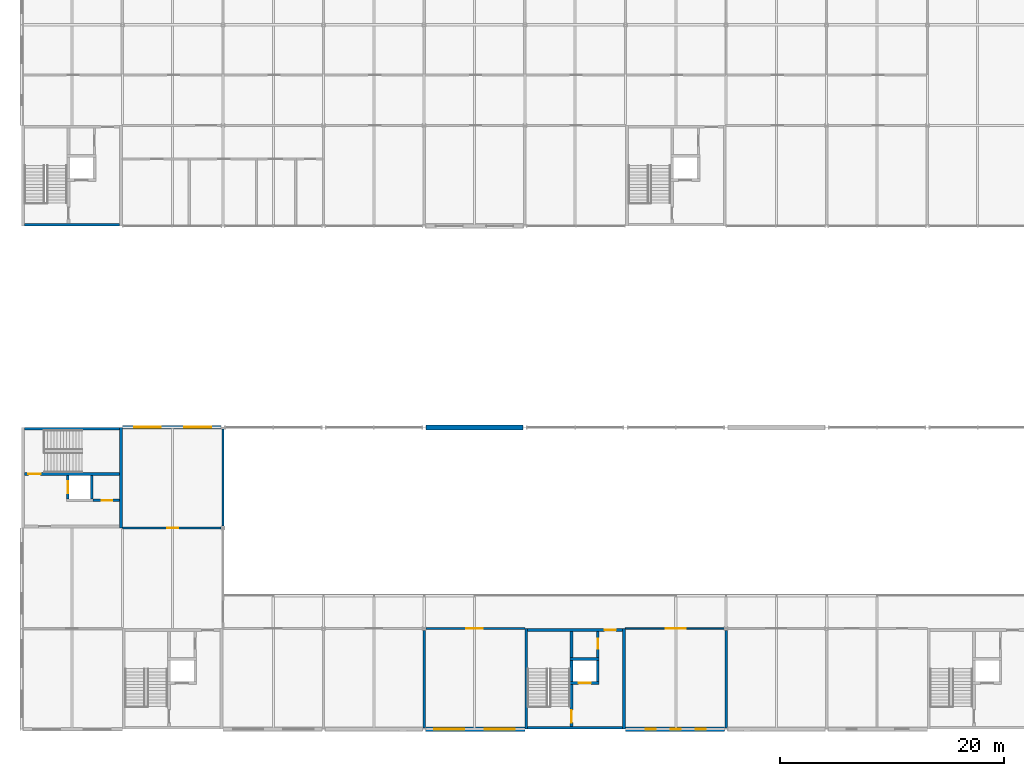
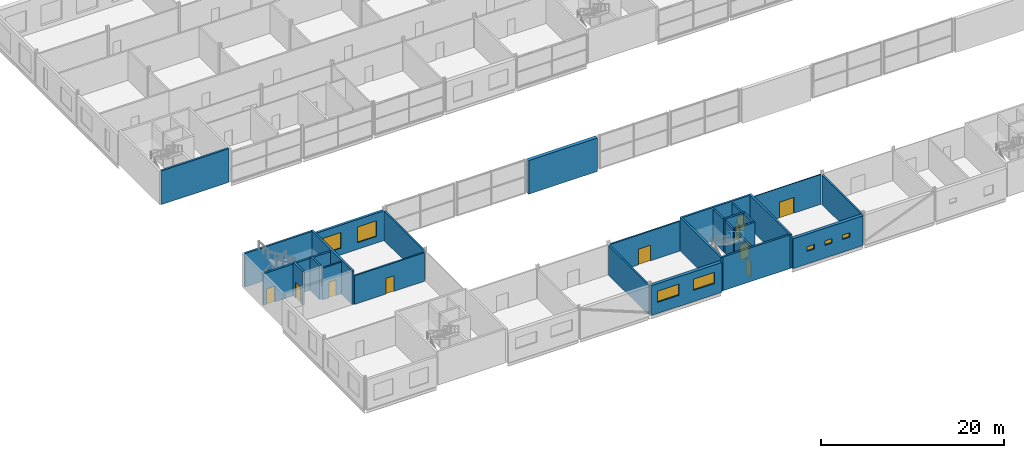
# One storey, part 66 of 97: 26 walls, 10 doors, 7 windows, 17 openings.
"""IFC4 building model written with IfcOpenShell, lengths in metres."""

from ifc_helpers import new_model, si_unit, direction, frame, frame_2d, origin, place, context, subcontext, project, spatial, rectangle, extrude, material, layer, layer_set, type_object, element, fill, save


model = new_model("IFC4")

# Units and contexts
model_context = context("Model", 3, precision=1e-05, world=origin(), true_north=direction((0.0, 1.0)))
body_context = subcontext(model_context, "Body", "Model", "MODEL_VIEW")
ifc_project = project(units=[si_unit("LENGTHUNIT", "METRE"), si_unit("AREAUNIT", "SQUARE_METRE"), si_unit("VOLUMEUNIT", "CUBIC_METRE"), si_unit("PLANEANGLEUNIT", "RADIAN"), si_unit("MASSUNIT", "GRAM", prefix="KILO")], contexts=[model_context])

# Site, building, storey
site_placement = place(None, origin())
site = spatial("IfcSite", under=ifc_project, at=site_placement, CompositionType="ELEMENT")
building_placement = place(site_placement, origin())
building = spatial("IfcBuilding", under=site, at=building_placement, Name="Corbel Yard City Hall", CompositionType="ELEMENT")
storey_placement = place(building_placement, frame((0.0, 0.0, 6.0)))
storey = spatial("IfcBuildingStorey", under=building, at=storey_placement, Name="L01", CompositionType="ELEMENT", Elevation=6.0)

# Walls
ifc_material_1 = material(Name="Concrete N50 (50 MPa)", Category="concrete")
ifc_layer_1 = layer(ifc_material_1, 0.25)
ifc_layer_set_1 = layer_set([ifc_layer_1], Name="Concrete N50 (50 MPa)")
wall_type_1 = type_object("IfcWallType", Name="Core cell wall 250", PredefinedType="SHEAR", material=ifc_layer_set_1)
for number, where, z_axis, x_axis, name in (
    (1, (45.125, 0.0, 0.0), (0.0, 0.0, 1.0), (0.0, 1.0, 0.0), "Core PC-S1 west wall"),
    (2, (53.875, 0.0, 0.0), (0.0, 0.0, 1.0), (0.0, 1.0, 0.0), "Core PC-S1 east wall"),
):
    element("IfcWall", number, at=place(storey_placement, frame(where, z_axis=z_axis, x_axis=x_axis)), inside=storey, type_object=wall_type_1, Name=name, PredefinedType="SHEAR", context=body_context, shape_type="SweptSolid", body=[
        extrude(rectangle(XDim=9.0, YDim=0.25, at=frame_2d((4.5, 0.0))), origin(), (0.0, 0.0, 1.0), 4.5),
    ])
wall_1_placement = place(storey_placement, frame((45.25, 0.125, 0.0), z_axis=(0.0, 0.0, 1.0), x_axis=(1.0, 0.0, 0.0)))
element("IfcWall", 3, at=wall_1_placement, inside=storey, type_object=wall_type_1, Name="Core PC-S1 south wall", PredefinedType="SHEAR", context=body_context, shape_type="SweptSolid", body=[
    extrude(rectangle(XDim=8.5, YDim=0.25, at=frame_2d((4.25, 0.0))), origin(), (0.0, 0.0, 1.0), 4.5),
])

# Wall, opening, door
wall_2_placement = place(storey_placement, frame((45.25, 8.875, 0.0), z_axis=(0.0, 0.0, 1.0), x_axis=(1.0, 0.0, 0.0)))
wall_2 = element("IfcWall", 4, at=wall_2_placement, inside=storey, type_object=wall_type_1, Name="Core PC-S1 north wall", PredefinedType="SHEAR", context=body_context, shape_type="SweptSolid", body=[
    extrude(rectangle(XDim=8.5, YDim=0.25, at=frame_2d((4.25, 0.0))), origin(), (0.0, 0.0, 1.0), 4.5),
])
opening_1_placement = place(wall_2_placement, frame((6.887451171875, 0.0, 0.0)))
opening_1 = element("IfcOpeningElement", 5, at=opening_1_placement, cuts=wall_2, Name="Opening L01-018", PredefinedType="OPENING", context=body_context, shape_type="SweptSolid", body=[
    extrude(rectangle(XDim=1.0, YDim=2.10009765625, at=frame_2d((0.5, 1.050048828125))), frame((0.0, 0.135009765625, 0.0), z_axis=(0.0, -1.0, 0.0), x_axis=(1.0, 0.0, 0.0)), (0.0, 0.0, 1.0), 0.27001953125),
])
ifc_material_2 = material(Name="Steel Grade G250", Category="steel")
door_type_1 = type_object("IfcDoorType", Name="FS1", OperationType="SINGLE_SWING_LEFT", PredefinedType="DOOR", material=ifc_material_2)
door_1_placement = place(opening_1_placement, frame((1.0, 0.0, 0.0), z_axis=(0.0, 0.0, 1.0), x_axis=(-1.0, 0.0, 0.0)))
door_1 = element("IfcDoor", 6, at=door_1_placement, inside=storey, type_object=door_type_1, Name="Door Lift Lobby", OperationType="SINGLE_SWING_RIGHT", OverallHeight=2.10009765625, OverallWidth=1.0, PredefinedType="DOOR", context=body_context, shape_type="SweptSolid", body=[
    extrude(rectangle(XDim=1.0, YDim=2.10009765625, at=frame_2d((0.5, 1.050048828125))), frame((0.0, 0.02490234375, 0.0), z_axis=(0.0, -1.0, 0.0), x_axis=(1.0, 0.0, 0.0)), (0.0, 0.0, 1.0), 0.050048828125),
])
fill(opening_1, door_1)

# Walls
wall_3_placement = place(storey_placement, frame((8.875, 18.0, 0.0), z_axis=(0.0, 0.0, 1.0), x_axis=(0.0, 1.0, 0.0)))
element("IfcWall", 7, at=wall_3_placement, inside=storey, type_object=wall_type_1, Name="Core PC-S5 east wall", PredefinedType="SHEAR", context=body_context, shape_type="SweptSolid", body=[
    extrude(rectangle(XDim=9.0, YDim=0.25, at=frame_2d((4.5, 0.0))), origin(), (0.0, 0.0, 1.0), 4.5),
])
for number, where, z_axis, x_axis, name in (
    (8, (0.25, 26.875, 0.0), (0.0, 0.0, 1.0), (1.0, 0.0, 0.0), "Core PC-S5 north wall"),
    (9, (0.25, 45.125, 0.0), (0.0, 0.0, 1.0), (1.0, 0.0, 0.0), "Core PC-M1 south wall"),
):
    element("IfcWall", number, at=place(storey_placement, frame(where, z_axis=z_axis, x_axis=x_axis)), inside=storey, type_object=wall_type_1, Name=name, PredefinedType="SHEAR", context=body_context, shape_type="SweptSolid", body=[
        extrude(rectangle(XDim=8.5, YDim=0.25, at=frame_2d((4.25, 0.0))), origin(), (0.0, 0.0, 1.0), 4.5),
    ])

# Wall, openings, windows
ifc_material_3 = material(Name="Sandstone cladding", Category="masonry")
ifc_layer_2 = layer(ifc_material_3, 0.0400390625)
ifc_material_4 = material(Name="Air cavity", Category="air")
ifc_layer_3 = layer(ifc_material_4, 0.0400390625)
ifc_material_5 = material(Name="Concrete block", Category="concrete")
ifc_layer_4 = layer(ifc_material_5, 0.18994140625)
ifc_material_6 = material(Name="Gypsum plasterboard", Category="gypsum")
ifc_layer_5 = layer(ifc_material_6, 0.030029296875)
ifc_layer_set_2 = layer_set([ifc_layer_2, ifc_layer_3, ifc_layer_4, ifc_layer_5], Name="Concrete block")
wall_type_2 = type_object("IfcWallType", Name="EW1", PredefinedType="SOLIDWALL", material=ifc_layer_set_2)
wall_4_placement = place(storey_placement, frame((9.0, 27.0, 0.0), z_axis=(0.0, 0.0, 1.0), x_axis=(1.0, 0.0, 0.0)))
wall_4 = element("IfcWall", 10, at=wall_4_placement, inside=storey, type_object=wall_type_2, Name="External wall", PredefinedType="SOLIDWALL", context=body_context, shape_type="SweptSolid", body=[
    extrude(rectangle(XDim=8.842529296875, YDim=0.300048828125, at=frame_2d((4.42138671875, 0.0))), origin(), (0.0, 0.0, 1.0), 3.990966796875),
])
opening_2_placement = place(wall_4_placement, frame((1.050048828125, 0.0, 0.89990234375)))
opening_2 = element("IfcOpeningElement", 11, at=opening_2_placement, cuts=wall_4, Name="Opening WN8", PredefinedType="OPENING", context=body_context, shape_type="SweptSolid", body=[
    extrude(rectangle(XDim=2.39990234375, YDim=2.10009765625, at=frame_2d((1.199951171875, 1.050048828125))), frame((0.0, 0.159912109375, 0.0), z_axis=(0.0, -1.0, 0.0), x_axis=(1.0, 0.0, 0.0)), (0.0, 0.0, 1.0), 0.320068359375),
])
opening_3_placement = place(wall_4_placement, frame((5.550048828125, 0.0, 0.89990234375)))
opening_3 = element("IfcOpeningElement", 12, at=opening_3_placement, cuts=wall_4, Name="Opening WN8", PredefinedType="OPENING", context=body_context, shape_type="SweptSolid", body=[
    extrude(rectangle(XDim=2.39990234375, YDim=2.10009765625, at=frame_2d((1.199951171875, 1.050048828125))), frame((0.0, 0.159912109375, 0.0), z_axis=(0.0, -1.0, 0.0), x_axis=(1.0, 0.0, 0.0)), (0.0, 0.0, 1.0), 0.320068359375),
])
ifc_material_7 = material(Name="Aluminium frame, double glazed low-e glass", Category="aluminium")
window_type_1 = type_object("IfcWindowType", Name="WN8", PartitioningType="SINGLE_PANEL", PredefinedType="WINDOW", material=ifc_material_7)
window_1_placement = place(opening_2_placement, origin())
window_1 = element("IfcWindow", 13, at=window_1_placement, inside=storey, type_object=window_type_1, Name="Window WN8 L01", OverallHeight=2.10009765625, OverallWidth=2.39990234375, PartitioningType="SINGLE_PANEL", PredefinedType="WINDOW", context=body_context, shape_type="SweptSolid", body=[
    extrude(rectangle(XDim=2.39990234375, YDim=2.10009765625, at=frame_2d((1.199951171875, 1.050048828125))), frame((0.0, 0.030029296875, 0.0), z_axis=(0.0, -1.0, 0.0), x_axis=(1.0, 0.0, 0.0)), (0.0, 0.0, 1.0), 0.06005859375),
])
fill(opening_2, window_1)
window_2_placement = place(opening_3_placement, origin())
window_2 = element("IfcWindow", 14, at=window_2_placement, inside=storey, type_object=window_type_1, Name="Window WN8 L01", OverallHeight=2.10009765625, OverallWidth=2.39990234375, PartitioningType="SINGLE_PANEL", PredefinedType="WINDOW", context=body_context, shape_type="SweptSolid", body=[
    extrude(rectangle(XDim=2.39990234375, YDim=2.10009765625, at=frame_2d((1.199951171875, 1.050048828125))), frame((0.0, 0.030029296875, 0.0), z_axis=(0.0, -1.0, 0.0), x_axis=(1.0, 0.0, 0.0)), (0.0, 0.0, 1.0), 0.06005859375),
])
fill(opening_3, window_2)

# Wall
ifc_layer_6 = layer(ifc_material_3, 0.06005859375)
ifc_layer_7 = layer(ifc_material_4, 0.0400390625)
ifc_material_8 = material(Name="Concrete N40 (40 MPa)", Category="concrete")
ifc_layer_8 = layer(ifc_material_8, 0.25)
ifc_material_9 = material(Name="Mineral wool", Category="insulation")
ifc_layer_9 = layer(ifc_material_9, 0.10009765625)
ifc_layer_set_3 = layer_set([ifc_layer_6, ifc_layer_7, ifc_layer_8, ifc_layer_9], Name="Concrete N40 (40 MPa)")
wall_type_3 = type_object("IfcWallType", Name="EW2", PredefinedType="SOLIDWALL", material=ifc_layer_set_3)
wall_5_placement = place(storey_placement, frame((36.157470703125, 27.0, -0.14990234375), z_axis=(0.0, 0.0, 1.0), x_axis=(1.0, 0.0, 0.0)))
element("IfcWall", 15, at=wall_5_placement, inside=storey, type_object=wall_type_3, Name="Entrance pier wall", PredefinedType="SOLIDWALL", context=body_context, shape_type="SweptSolid", body=[
    extrude(rectangle(XDim=8.68505859375, YDim=0.449951171875, at=frame_2d((4.342529296875, 0.0))), origin(), (0.0, 0.0, 1.0), 4.5),
])

# Wall, openings, windows
ifc_layer_10 = layer(ifc_material_6, 0.031982421875)
ifc_layer_11 = layer(ifc_material_4, 0.133056640625)
ifc_layer_12 = layer(ifc_material_5, 0.18994140625)
ifc_material_10 = material(Name="Cement render", Category="render")
ifc_layer_13 = layer(ifc_material_10, 0.0400390625)
ifc_material_11 = material(Name="Acoustic sealant", Category="sealant")
ifc_layer_14 = layer(ifc_material_11, 0.0048828125)
ifc_layer_set_4 = layer_set([ifc_layer_10, ifc_layer_11, ifc_layer_12, ifc_layer_13, ifc_layer_14], Name="Concrete block")
wall_type_4 = type_object("IfcWallType", Name="EW3", PredefinedType="SOLIDWALL", material=ifc_layer_set_4)
wall_6_placement = place(storey_placement, frame((36.1298828125, 0.0, 0.0), z_axis=(0.0, 0.0, 1.0), x_axis=(1.0, 0.0, 0.0)))
wall_6 = element("IfcWall", 16, at=wall_6_placement, inside=storey, type_object=wall_type_4, Name="Acoustic wall", PredefinedType="SOLIDWALL", context=body_context, shape_type="SweptSolid", body=[
    extrude(rectangle(XDim=8.8701171875, YDim=0.39990234375, at=frame_2d((4.43505859375, 0.0))), origin(), (0.0, 0.0, 1.0), 3.990966796875),
])
opening_4_placement = place(wall_6_placement, frame((0.77001953125, 0.0, 1.5)))
opening_4 = element("IfcOpeningElement", 17, at=opening_4_placement, cuts=wall_6, Name="Opening WN3", PredefinedType="OPENING", context=body_context, shape_type="SweptSolid", body=[
    extrude(rectangle(XDim=2.699951171875, YDim=1.5, at=frame_2d((1.35009765625, 0.75))), frame((0.0, 0.2099609375, 0.0), z_axis=(0.0, -1.0, 0.0), x_axis=(1.0, 0.0, 0.0)), (0.0, 0.0, 1.0), 0.419921875),
])
opening_5_placement = place(wall_6_placement, frame((5.27001953125, 0.0, 1.5)))
opening_5 = element("IfcOpeningElement", 18, at=opening_5_placement, cuts=wall_6, Name="Opening WN3", PredefinedType="OPENING", context=body_context, shape_type="SweptSolid", body=[
    extrude(rectangle(XDim=2.699951171875, YDim=1.5, at=frame_2d((1.35009765625, 0.75))), frame((0.0, 0.2099609375, 0.0), z_axis=(0.0, -1.0, 0.0), x_axis=(1.0, 0.0, 0.0)), (0.0, 0.0, 1.0), 0.419921875),
])
ifc_material_12 = material(Name="Aluminium frame, laminated acoustic glass", Category="aluminium")
window_type_2 = type_object("IfcWindowType", Name="WN3", PartitioningType="SINGLE_PANEL", PredefinedType="WINDOW", material=ifc_material_12)
window_3_placement = place(opening_4_placement, origin())
window_3 = element("IfcWindow", 19, at=window_3_placement, inside=storey, type_object=window_type_2, Name="Window WN3 L01", OverallHeight=1.5, OverallWidth=2.699951171875, PartitioningType="SINGLE_PANEL", PredefinedType="WINDOW", context=body_context, shape_type="SweptSolid", body=[
    extrude(rectangle(XDim=2.699951171875, YDim=1.5, at=frame_2d((1.35009765625, 0.75))), frame((0.0, 0.030029296875, 0.0), z_axis=(0.0, -1.0, 0.0), x_axis=(1.0, 0.0, 0.0)), (0.0, 0.0, 1.0), 0.06005859375),
])
fill(opening_4, window_3)
window_4_placement = place(opening_5_placement, origin())
window_4 = element("IfcWindow", 20, at=window_4_placement, inside=storey, type_object=window_type_2, Name="Window WN3 L01", OverallHeight=1.5, OverallWidth=2.699951171875, PartitioningType="SINGLE_PANEL", PredefinedType="WINDOW", context=body_context, shape_type="SweptSolid", body=[
    extrude(rectangle(XDim=2.699951171875, YDim=1.5, at=frame_2d((1.35009765625, 0.75))), frame((0.0, 0.030029296875, 0.0), z_axis=(0.0, -1.0, 0.0), x_axis=(1.0, 0.0, 0.0)), (0.0, 0.0, 1.0), 0.06005859375),
])
fill(opening_5, window_4)

wall_7_placement = place(storey_placement, frame((54.0, 0.0, 0.0), z_axis=(0.0, 0.0, 1.0), x_axis=(1.0, 0.0, 0.0)))
wall_7 = element("IfcWall", 21, at=wall_7_placement, inside=storey, type_object=wall_type_4, Name="Acoustic wall", PredefinedType="SOLIDWALL", context=body_context, shape_type="SweptSolid", body=[
    extrude(rectangle(XDim=8.8701171875, YDim=0.39990234375, at=frame_2d((4.43505859375, 0.0))), origin(), (0.0, 0.0, 1.0), 3.990966796875),
])
opening_6_placement = place(wall_7_placement, frame((1.800048828125, 0.0, 1.699951171875)))
opening_6 = element("IfcOpeningElement", 22, at=opening_6_placement, cuts=wall_7, Name="Opening WN10", PredefinedType="OPENING", context=body_context, shape_type="SweptSolid", body=[
    extrude(rectangle(XDim=0.89990234375, YDim=0.60009765625, at=frame_2d((0.449951171875, 0.300048828125))), frame((0.0, 0.2099609375, 0.0), z_axis=(0.0, -1.0, 0.0), x_axis=(1.0, 0.0, 0.0)), (0.0, 0.0, 1.0), 0.419921875),
])
opening_7_placement = place(wall_7_placement, frame((6.300048828125, 0.0, 1.699951171875)))
opening_7 = element("IfcOpeningElement", 23, at=opening_7_placement, cuts=wall_7, Name="Opening WN10", PredefinedType="OPENING", context=body_context, shape_type="SweptSolid", body=[
    extrude(rectangle(XDim=0.89990234375, YDim=0.60009765625, at=frame_2d((0.449951171875, 0.300048828125))), frame((0.0, 0.2099609375, 0.0), z_axis=(0.0, -1.0, 0.0), x_axis=(1.0, 0.0, 0.0)), (0.0, 0.0, 1.0), 0.419921875),
])
opening_8_placement = place(wall_7_placement, frame((4.050048828125, 0.0, 1.699951171875)))
opening_8 = element("IfcOpeningElement", 24, at=opening_8_placement, cuts=wall_7, Name="Opening WN10", PredefinedType="OPENING", context=body_context, shape_type="SweptSolid", body=[
    extrude(rectangle(XDim=0.89990234375, YDim=0.60009765625, at=frame_2d((0.449951171875, 0.300048828125))), frame((0.0, 0.2099609375, 0.0), z_axis=(0.0, -1.0, 0.0), x_axis=(1.0, 0.0, 0.0)), (0.0, 0.0, 1.0), 0.419921875),
])
ifc_material_13 = material(Name="Aluminium frame, obscure laminated glass", Category="aluminium")
window_type_3 = type_object("IfcWindowType", Name="WN10", PartitioningType="SINGLE_PANEL", PredefinedType="WINDOW", material=ifc_material_13)
window_5_placement = place(opening_6_placement, origin())
window_5 = element("IfcWindow", 25, at=window_5_placement, inside=storey, type_object=window_type_3, Name="Window WN10 L01", OverallHeight=0.60009765625, OverallWidth=0.89990234375, PartitioningType="SINGLE_PANEL", PredefinedType="WINDOW", context=body_context, shape_type="SweptSolid", body=[
    extrude(rectangle(XDim=0.89990234375, YDim=0.60009765625, at=frame_2d((0.449951171875, 0.300048828125))), frame((0.0, 0.030029296875, 0.0), z_axis=(0.0, -1.0, 0.0), x_axis=(1.0, 0.0, 0.0)), (0.0, 0.0, 1.0), 0.06005859375),
])
fill(opening_6, window_5)
window_6_placement = place(opening_7_placement, origin())
window_6 = element("IfcWindow", 26, at=window_6_placement, inside=storey, type_object=window_type_3, Name="Window WN10 L01", OverallHeight=0.60009765625, OverallWidth=0.89990234375, PartitioningType="SINGLE_PANEL", PredefinedType="WINDOW", context=body_context, shape_type="SweptSolid", body=[
    extrude(rectangle(XDim=0.89990234375, YDim=0.60009765625, at=frame_2d((0.449951171875, 0.300048828125))), frame((0.0, 0.030029296875, 0.0), z_axis=(0.0, -1.0, 0.0), x_axis=(1.0, 0.0, 0.0)), (0.0, 0.0, 1.0), 0.06005859375),
])
fill(opening_7, window_6)
window_7_placement = place(opening_8_placement, origin())
window_7 = element("IfcWindow", 27, at=window_7_placement, inside=storey, type_object=window_type_3, Name="Window WN10 L01", OverallHeight=0.60009765625, OverallWidth=0.89990234375, PartitioningType="SINGLE_PANEL", PredefinedType="WINDOW", context=body_context, shape_type="SweptSolid", body=[
    extrude(rectangle(XDim=0.89990234375, YDim=0.60009765625, at=frame_2d((0.449951171875, 0.300048828125))), frame((0.0, 0.030029296875, 0.0), z_axis=(0.0, -1.0, 0.0), x_axis=(1.0, 0.0, 0.0)), (0.0, 0.0, 1.0), 0.06005859375),
])
fill(opening_8, window_7)

# Wall, opening, door
ifc_layer_15 = layer(ifc_material_8, 0.25)
ifc_layer_set_5 = layer_set([ifc_layer_15], Name="Concrete N40 (40 MPa)")
wall_type_5 = type_object("IfcWallType", Name="IW2", PredefinedType="SOLIDWALL", material=ifc_layer_set_5)
wall_8_placement = place(storey_placement, frame((49.175048828125, 0.25, 0.0), z_axis=(0.0, 0.0, 1.0), x_axis=(0.0, 1.0, 0.0)))
wall_8 = element("IfcWall", 28, at=wall_8_placement, inside=storey, type_object=wall_type_5, Name="Stair enclosure wall", PredefinedType="SOLIDWALL", context=body_context, shape_type="SweptSolid", body=[
    extrude(rectangle(XDim=8.5, YDim=0.25, at=frame_2d((4.25, 0.0))), origin(), (0.0, 0.0, 1.0), 4.25),
])
opening_9_placement = place(wall_8_placement, frame((0.35009765625, 0.0, 0.0)))
opening_9 = element("IfcOpeningElement", 29, at=opening_9_placement, cuts=wall_8, Name="Opening L01-017", PredefinedType="OPENING", context=body_context, shape_type="SweptSolid", body=[
    extrude(rectangle(XDim=1.10009765625, YDim=2.10009765625, at=frame_2d((0.550048828125, 1.050048828125))), frame((0.0, 0.135009765625, 0.0), z_axis=(0.0, -1.0, 0.0), x_axis=(1.0, 0.0, 0.0)), (0.0, 0.0, 1.0), 0.27001953125),
])
door_type_2 = type_object("IfcDoorType", Name="FS11", OperationType="SINGLE_SWING_LEFT", PredefinedType="DOOR", material=ifc_material_2)
door_2_placement = place(opening_9_placement, origin())
door_2 = element("IfcDoor", 30, at=door_2_placement, inside=storey, type_object=door_type_2, Name="Door Exit Stair 2", OperationType="SINGLE_SWING_LEFT", OverallHeight=2.10009765625, OverallWidth=1.10009765625, PredefinedType="DOOR", context=body_context, shape_type="SweptSolid", body=[
    extrude(rectangle(XDim=1.10009765625, YDim=2.10009765625, at=frame_2d((0.550048828125, 1.050048828125))), frame((0.0, 0.02490234375, 0.0), z_axis=(0.0, -1.0, 0.0), x_axis=(1.0, 0.0, 0.0)), (0.0, 0.0, 1.0), 0.050048828125),
])
fill(opening_9, door_2)

wall_9_placement = place(storey_placement, frame((49.050048828125, 4.125, 0.0), z_axis=(0.0, 0.0, 1.0), x_axis=(1.0, 0.0, 0.0)))
wall_9 = element("IfcWall", 31, at=wall_9_placement, inside=storey, type_object=wall_type_5, Name="Lift LP2 shaft wall", PredefinedType="SOLIDWALL", context=body_context, shape_type="SweptSolid", body=[
    extrude(rectangle(XDim=2.599853515625, YDim=0.25, at=frame_2d((1.2998046875, 0.0))), origin(), (0.0, 0.0, 1.0), 4.5),
])
opening_10_placement = place(wall_9_placement, frame((0.75, 0.0, 0.0)))
opening_10 = element("IfcOpeningElement", 32, at=opening_10_placement, cuts=wall_9, Name="Opening L01-002", PredefinedType="OPENING", context=body_context, shape_type="SweptSolid", body=[
    extrude(rectangle(XDim=1.10009765625, YDim=2.10009765625, at=frame_2d((0.550048828125, 1.050048828125))), frame((0.0, 0.135009765625, 0.0), z_axis=(0.0, -1.0, 0.0), x_axis=(1.0, 0.0, 0.0)), (0.0, 0.0, 1.0), 0.27001953125),
])
ifc_material_14 = material(Name="Stainless steel Grade 316", Category="steel")
door_type_3 = type_object("IfcDoorType", Name="LD1", OperationType="DOUBLE_DOOR_SLIDING", PredefinedType="DOOR", material=ifc_material_14)
door_3_placement = place(opening_10_placement, origin())
door_3 = element("IfcDoor", 33, at=door_3_placement, inside=storey, type_object=door_type_3, Name="Lift LP2 landing door", OperationType="DOUBLE_DOOR_SLIDING", OverallHeight=2.10009765625, OverallWidth=1.10009765625, PredefinedType="DOOR", context=body_context, shape_type="SweptSolid", body=[
    extrude(rectangle(XDim=1.10009765625, YDim=2.10009765625, at=frame_2d((0.550048828125, 1.050048828125))), frame((0.0, 0.02490234375, 0.0), z_axis=(0.0, -1.0, 0.0), x_axis=(1.0, 0.0, 0.0)), (0.0, 0.0, 1.0), 0.050048828125),
])
fill(opening_10, door_3)

# Walls
wall_10_placement = place(storey_placement, frame((49.050048828125, 6.27490234375, 0.0), z_axis=(0.0, 0.0, 1.0), x_axis=(1.0, 0.0, 0.0)))
element("IfcWall", 34, at=wall_10_placement, inside=storey, type_object=wall_type_5, Name="Lift LP2 shaft wall", PredefinedType="SOLIDWALL", context=body_context, shape_type="SweptSolid", body=[
    extrude(rectangle(XDim=2.599853515625, YDim=0.25, at=frame_2d((1.2998046875, 0.0))), origin(), (0.0, 0.0, 1.0), 4.5),
])
wall_11_placement = place(storey_placement, frame((51.52490234375, 4.25, 0.0), z_axis=(0.0, 0.0, 1.0), x_axis=(0.0, 1.0, 0.0)))
element("IfcWall", 35, at=wall_11_placement, inside=storey, type_object=wall_type_5, Name="Lift LP2 shaft wall", PredefinedType="SOLIDWALL", context=body_context, shape_type="SweptSolid", body=[
    extrude(rectangle(XDim=1.89990234375, YDim=0.25, at=frame_2d((0.949951171875, 0.0))), origin(), (0.0, 0.0, 1.0), 4.5),
])

# Wall, opening, door
wall_12_placement = place(storey_placement, frame((0.25, 22.824951171875, 0.0), z_axis=(0.0, 0.0, 1.0), x_axis=(1.0, 0.0, 0.0)))
wall_12 = element("IfcWall", 36, at=wall_12_placement, inside=storey, type_object=wall_type_5, Name="Stair enclosure wall", PredefinedType="SOLIDWALL", context=body_context, shape_type="SweptSolid", body=[
    extrude(rectangle(XDim=8.5, YDim=0.25, at=frame_2d((4.25, 0.0))), origin(), (0.0, 0.0, 1.0), 4.25),
])
opening_11_placement = place(wall_12_placement, frame((0.35009765625, 0.0, 0.0)))
opening_11 = element("IfcOpeningElement", 37, at=opening_11_placement, cuts=wall_12, Name="Opening L01-014", PredefinedType="OPENING", context=body_context, shape_type="SweptSolid", body=[
    extrude(rectangle(XDim=1.10009765625, YDim=2.10009765625, at=frame_2d((0.550048828125, 1.050048828125))), frame((0.0, 0.135009765625, 0.0), z_axis=(0.0, -1.0, 0.0), x_axis=(1.0, 0.0, 0.0)), (0.0, 0.0, 1.0), 0.27001953125),
])
door_4_placement = place(opening_11_placement, origin())
door_4 = element("IfcDoor", 38, at=door_4_placement, inside=storey, type_object=door_type_2, Name="Door Exit Stair 6", OperationType="SINGLE_SWING_LEFT", OverallHeight=2.10009765625, OverallWidth=1.10009765625, PredefinedType="DOOR", context=body_context, shape_type="SweptSolid", body=[
    extrude(rectangle(XDim=1.10009765625, YDim=2.10009765625, at=frame_2d((0.550048828125, 1.050048828125))), frame((0.0, 0.02490234375, 0.0), z_axis=(0.0, -1.0, 0.0), x_axis=(1.0, 0.0, 0.0)), (0.0, 0.0, 1.0), 0.050048828125),
])
fill(opening_11, door_4)

wall_13_placement = place(storey_placement, frame((4.125, 20.60009765625, 0.0), z_axis=(0.0, 0.0, 1.0), x_axis=(0.0, 1.0, 0.0)))
wall_13 = element("IfcWall", 39, at=wall_13_placement, inside=storey, type_object=wall_type_5, Name="Lift LP6 shaft wall", PredefinedType="SOLIDWALL", context=body_context, shape_type="SweptSolid", body=[
    extrude(rectangle(XDim=2.099853515625, YDim=0.25, at=frame_2d((1.0498046875, 0.0))), origin(), (0.0, 0.0, 1.0), 4.5),
])
opening_12_placement = place(wall_13_placement, frame((0.5, 0.0, 0.0)))
opening_12 = element("IfcOpeningElement", 40, at=opening_12_placement, cuts=wall_13, Name="Opening L01-006", PredefinedType="OPENING", context=body_context, shape_type="SweptSolid", body=[
    extrude(rectangle(XDim=1.10009765625, YDim=2.10009765625, at=frame_2d((0.550048828125, 1.050048828125))), frame((0.0, 0.135009765625, 0.0), z_axis=(0.0, -1.0, 0.0), x_axis=(1.0, 0.0, 0.0)), (0.0, 0.0, 1.0), 0.27001953125),
])
door_5_placement = place(opening_12_placement, origin())
door_5 = element("IfcDoor", 41, at=door_5_placement, inside=storey, type_object=door_type_3, Name="Lift LP6 landing door", OperationType="DOUBLE_DOOR_SLIDING", OverallHeight=2.10009765625, OverallWidth=1.10009765625, PredefinedType="DOOR", context=body_context, shape_type="SweptSolid", body=[
    extrude(rectangle(XDim=1.10009765625, YDim=2.10009765625, at=frame_2d((0.550048828125, 1.050048828125))), frame((0.0, 0.02490234375, 0.0), z_axis=(0.0, -1.0, 0.0), x_axis=(1.0, 0.0, 0.0)), (0.0, 0.0, 1.0), 0.050048828125),
])
fill(opening_12, door_5)

# Wall
wall_14_placement = place(storey_placement, frame((6.27490234375, 20.60009765625, 0.0), z_axis=(0.0, 0.0, 1.0), x_axis=(0.0, 1.0, 0.0)))
element("IfcWall", 42, at=wall_14_placement, inside=storey, type_object=wall_type_5, Name="Lift LP6 shaft wall", PredefinedType="SOLIDWALL", context=body_context, shape_type="SweptSolid", body=[
    extrude(rectangle(XDim=2.099853515625, YDim=0.25, at=frame_2d((1.0498046875, 0.0))), origin(), (0.0, 0.0, 1.0), 4.5),
])

# Wall, opening, door
ifc_layer_16 = layer(ifc_material_6, 0.028076171875)
ifc_material_15 = material(Name="Steel Grade G550 (550 MPa yield)", Category="steel")
ifc_layer_17 = layer(ifc_material_15, 0.06396484375)
ifc_layer_18 = layer(ifc_material_6, 0.028076171875)
ifc_layer_set_6 = layer_set([ifc_layer_16, ifc_layer_17, ifc_layer_18], Name="Steel Grade G550 (550 MPa yield)")
wall_type_6 = type_object("IfcWallType", Name="PT1", PredefinedType="PARTITIONING", material=ifc_layer_set_6)
wall_15_placement = place(storey_placement, frame((54.0, 9.0, 0.0), z_axis=(0.0, 0.0, 1.0), x_axis=(1.0, 0.0, 0.0)))
wall_15 = element("IfcWall", 43, at=wall_15_placement, inside=storey, type_object=wall_type_6, Name="Partition", PredefinedType="PARTITIONING", context=body_context, shape_type="SweptSolid", body=[
    extrude(rectangle(XDim=8.842529296875, YDim=0.1201171875, at=frame_2d((4.42138671875, 0.0))), origin(), (0.0, 0.0, 1.0), 3.990966796875),
])
opening_13_placement = place(wall_15_placement, frame((3.60009765625, 0.0, 0.0)))
opening_13 = element("IfcOpeningElement", 44, at=opening_13_placement, cuts=wall_15, Name="Opening L01-036", PredefinedType="OPENING", context=body_context, shape_type="SweptSolid", body=[
    extrude(rectangle(XDim=1.800048828125, YDim=2.10009765625, at=frame_2d((0.89990234375, 1.050048828125))), frame((0.0, 0.070068359375, 0.0), z_axis=(0.0, -1.0, 0.0), x_axis=(1.0, 0.0, 0.0)), (0.0, 0.0, 1.0), 0.14013671875),
])
ifc_material_16 = material(Name="Timber", Category="wood")
door_type_4 = type_object("IfcDoorType", Name="D3", OperationType="DOUBLE_DOOR_SINGLE_SWING", PredefinedType="DOOR", material=ifc_material_16)
door_6_placement = place(opening_13_placement, origin())
door_6 = element("IfcDoor", 45, at=door_6_placement, inside=storey, type_object=door_type_4, Name="Door Women's WC Block", OperationType="DOUBLE_DOOR_SINGLE_SWING", OverallHeight=2.10009765625, OverallWidth=1.800048828125, PredefinedType="DOOR", context=body_context, shape_type="SweptSolid", body=[
    extrude(rectangle(XDim=1.800048828125, YDim=2.10009765625, at=frame_2d((0.89990234375, 1.050048828125))), frame((0.0, 0.02490234375, 0.0), z_axis=(0.0, -1.0, 0.0), x_axis=(1.0, 0.0, 0.0)), (0.0, 0.0, 1.0), 0.050048828125),
])
fill(opening_13, door_6)

ifc_layer_19 = layer(ifc_material_6, 0.031982421875)
ifc_layer_20 = layer(ifc_material_15, 0.135986328125)
ifc_layer_21 = layer(ifc_material_6, 0.031982421875)
ifc_layer_set_7 = layer_set([ifc_layer_19, ifc_layer_20, ifc_layer_21], Name="Steel Grade G550 (550 MPa yield)")
wall_type_7 = type_object("IfcWallType", Name="PT2", PredefinedType="PARTITIONING", material=ifc_layer_set_7)
wall_16_placement = place(storey_placement, frame((36.157470703125, 9.0, 0.0), z_axis=(0.0, 0.0, 1.0), x_axis=(1.0, 0.0, 0.0)))
wall_16 = element("IfcWall", 46, at=wall_16_placement, inside=storey, type_object=wall_type_7, Name="Acoustic wall", PredefinedType="PARTITIONING", context=body_context, shape_type="SweptSolid", body=[
    extrude(rectangle(XDim=8.842529296875, YDim=0.199951171875, at=frame_2d((4.42138671875, 0.0))), origin(), (0.0, 0.0, 1.0), 3.990966796875),
])
opening_14_placement = place(wall_16_placement, frame((3.592529296875, 0.0, 0.0)))
opening_14 = element("IfcOpeningElement", 47, at=opening_14_placement, cuts=wall_16, Name="Opening L01-031", PredefinedType="OPENING", context=body_context, shape_type="SweptSolid", body=[
    extrude(rectangle(XDim=1.5, YDim=2.10009765625, at=frame_2d((0.75, 1.050048828125))), frame((0.0, 0.10986328125, 0.0), z_axis=(0.0, -1.0, 0.0), x_axis=(1.0, 0.0, 0.0)), (0.0, 0.0, 1.0), 0.219970703125),
])
door_type_5 = type_object("IfcDoorType", Name="D10", OperationType="DOUBLE_DOOR_SINGLE_SWING", PredefinedType="DOOR", material=ifc_material_16)
door_7_placement = place(opening_14_placement, origin())
door_7 = element("IfcDoor", 48, at=door_7_placement, inside=storey, type_object=door_type_5, Name="Door Committee Room 3", OperationType="DOUBLE_DOOR_SINGLE_SWING", OverallHeight=2.10009765625, OverallWidth=1.5, PredefinedType="DOOR", context=body_context, shape_type="SweptSolid", body=[
    extrude(rectangle(XDim=1.5, YDim=2.10009765625, at=frame_2d((0.75, 1.050048828125))), frame((0.0, 0.02490234375, 0.0), z_axis=(0.0, -1.0, 0.0), x_axis=(1.0, 0.0, 0.0)), (0.0, 0.0, 1.0), 0.050048828125),
])
fill(opening_14, door_7)

wall_17_placement = place(storey_placement, frame((9.0, 18.0, 0.0), z_axis=(0.0, 0.0, 1.0), x_axis=(1.0, 0.0, 0.0)))
wall_17 = element("IfcWall", 49, at=wall_17_placement, inside=storey, type_object=wall_type_7, Name="Acoustic wall", PredefinedType="PARTITIONING", context=body_context, shape_type="SweptSolid", body=[
    extrude(rectangle(XDim=8.842529296875, YDim=0.199951171875, at=frame_2d((4.42138671875, 0.0))), origin(), (0.0, 0.0, 1.0), 3.822021484375),
])
opening_15_placement = place(wall_17_placement, frame((4.0, 0.0, 0.0)))
opening_15 = element("IfcOpeningElement", 50, at=opening_15_placement, cuts=wall_17, Name="Opening L01-010", PredefinedType="OPENING", context=body_context, shape_type="SweptSolid", body=[
    extrude(rectangle(XDim=1.0, YDim=2.10009765625, at=frame_2d((0.5, 1.050048828125))), frame((0.0, 0.10986328125, 0.0), z_axis=(0.0, -1.0, 0.0), x_axis=(1.0, 0.0, 0.0)), (0.0, 0.0, 1.0), 0.219970703125),
])
door_type_6 = type_object("IfcDoorType", Name="D1", OperationType="SINGLE_SWING_LEFT", PredefinedType="DOOR", material=ifc_material_16)
door_8_placement = place(opening_15_placement, origin())
door_8 = element("IfcDoor", 51, at=door_8_placement, inside=storey, type_object=door_type_6, Name="Door Briefing Room 1", OperationType="SINGLE_SWING_RIGHT", OverallHeight=2.10009765625, OverallWidth=1.0, PredefinedType="DOOR", context=body_context, shape_type="SweptSolid", body=[
    extrude(rectangle(XDim=1.0, YDim=2.10009765625, at=frame_2d((0.5, 1.050048828125))), frame((0.0, 0.02490234375, 0.0), z_axis=(0.0, -1.0, 0.0), x_axis=(1.0, 0.0, 0.0)), (0.0, 0.0, 1.0), 0.050048828125),
])
fill(opening_15, door_8)

# Walls
wall_18_placement = place(storey_placement, frame((18.0, 18.157470703125, 0.0), z_axis=(0.0, 0.0, 1.0), x_axis=(0.0, 1.0, 0.0)))
element("IfcWall", 52, at=wall_18_placement, inside=storey, type_object=wall_type_7, Name="Acoustic wall", PredefinedType="PARTITIONING", context=body_context, shape_type="SweptSolid", body=[
    extrude(rectangle(XDim=8.68505859375, YDim=0.199951171875, at=frame_2d((4.342529296875, 0.0))), origin(), (0.0, 0.0, 1.0), 3.947021484375),
])
wall_19_placement = place(storey_placement, frame((36.0, 0.1298828125, 0.0), z_axis=(0.0, 0.0, 1.0), x_axis=(0.0, 1.0, 0.0)))
element("IfcWall", 53, at=wall_19_placement, inside=storey, type_object=wall_type_7, Name="Acoustic wall", PredefinedType="PARTITIONING", context=body_context, shape_type="SweptSolid", body=[
    extrude(rectangle(XDim=8.712646484375, YDim=0.199951171875, at=frame_2d((4.3564453125, 0.0))), origin(), (0.0, 0.0, 1.0), 3.947021484375),
])

# Wall, opening, door
ifc_material_17 = material(Name="Concrete block", Category="concrete")
ifc_layer_22 = layer(ifc_material_17, 0.18994140625)
ifc_layer_set_8 = layer_set([ifc_layer_22], Name="Concrete block")
wall_type_8 = type_object("IfcWallType", Name="PT4", PredefinedType="PARTITIONING", material=ifc_layer_set_8)
wall_20_placement = place(storey_placement, frame((6.39990234375, 20.47509765625, 0.0), z_axis=(0.0, 0.0, 1.0), x_axis=(1.0, 0.0, 0.0)))
wall_20 = element("IfcWall", 54, at=wall_20_placement, inside=storey, type_object=wall_type_8, Name="Fire-resisting block wall", PredefinedType="PARTITIONING", context=body_context, shape_type="SweptSolid", body=[
    extrude(rectangle(XDim=2.35009765625, YDim=0.18994140625, at=frame_2d((1.175048828125, 0.0))), origin(), (0.0, 0.0, 1.0), 4.25),
])
opening_16_placement = place(wall_20_placement, frame((0.777587890625, 0.0, 0.0)))
opening_16 = element("IfcOpeningElement", 55, at=opening_16_placement, cuts=wall_20, Name="Opening L01-016", PredefinedType="OPENING", context=body_context, shape_type="SweptSolid", body=[
    extrude(rectangle(XDim=0.919921875, YDim=2.10009765625, at=frame_2d((0.4599609375, 1.050048828125))), frame((0.0, 0.10498046875, 0.0), z_axis=(0.0, -1.0, 0.0), x_axis=(1.0, 0.0, 0.0)), (0.0, 0.0, 1.0), 0.2099609375),
])
door_type_7 = type_object("IfcDoorType", Name="FS5", OperationType="SINGLE_SWING_RIGHT", PredefinedType="DOOR", material=ifc_material_2)
door_9_placement = place(opening_16_placement, origin())
door_9 = element("IfcDoor", 56, at=door_9_placement, inside=storey, type_object=door_type_7, Name="Door Service Riser", OperationType="SINGLE_SWING_RIGHT", OverallHeight=2.10009765625, OverallWidth=0.919921875, PredefinedType="DOOR", context=body_context, shape_type="SweptSolid", body=[
    extrude(rectangle(XDim=0.919921875, YDim=2.10009765625, at=frame_2d((0.4599609375, 1.050048828125))), frame((0.0, 0.02490234375, 0.0), z_axis=(0.0, -1.0, 0.0), x_axis=(1.0, 0.0, 0.0)), (0.0, 0.0, 1.0), 0.050048828125),
])
fill(opening_16, door_9)

wall_21_placement = place(storey_placement, frame((51.52490234375, 6.39990234375, 0.0), z_axis=(0.0, 0.0, 1.0), x_axis=(0.0, 1.0, 0.0)))
wall_21 = element("IfcWall", 57, at=wall_21_placement, inside=storey, type_object=wall_type_8, Name="Fire-resisting block wall", PredefinedType="PARTITIONING", context=body_context, shape_type="SweptSolid", body=[
    extrude(rectangle(XDim=2.35009765625, YDim=0.18994140625, at=frame_2d((1.175048828125, 0.0))), origin(), (0.0, 0.0, 1.0), 4.25),
])
opening_17_placement = place(wall_21_placement, frame((0.777587890625, 0.0, 0.0)))
opening_17 = element("IfcOpeningElement", 58, at=opening_17_placement, cuts=wall_21, Name="Opening L01-019", PredefinedType="OPENING", context=body_context, shape_type="SweptSolid", body=[
    extrude(rectangle(XDim=0.919921875, YDim=2.10009765625, at=frame_2d((0.4599609375, 1.050048828125))), frame((0.0, 0.10498046875, 0.0), z_axis=(0.0, -1.0, 0.0), x_axis=(1.0, 0.0, 0.0)), (0.0, 0.0, 1.0), 0.2099609375),
])
door_10_placement = place(opening_17_placement, origin())
door_10 = element("IfcDoor", 59, at=door_10_placement, inside=storey, type_object=door_type_7, Name="Door Service Riser", OperationType="SINGLE_SWING_RIGHT", OverallHeight=2.10009765625, OverallWidth=0.919921875, PredefinedType="DOOR", context=body_context, shape_type="SweptSolid", body=[
    extrude(rectangle(XDim=0.919921875, YDim=2.10009765625, at=frame_2d((0.4599609375, 1.050048828125))), frame((0.0, 0.02490234375, 0.0), z_axis=(0.0, -1.0, 0.0), x_axis=(1.0, 0.0, 0.0)), (0.0, 0.0, 1.0), 0.050048828125),
])
fill(opening_17, door_10)

# Wall
ifc_layer_23 = layer(ifc_material_6, 0.031982421875)
ifc_layer_24 = layer(ifc_material_15, 0.156005859375)
ifc_layer_25 = layer(ifc_material_6, 0.031982421875)
ifc_layer_set_9 = layer_set([ifc_layer_23, ifc_layer_24, ifc_layer_25], Name="Steel Grade G550 (550 MPa yield)")
wall_type_9 = type_object("IfcWallType", Name="PT5", PredefinedType="PLUMBINGWALL", material=ifc_layer_set_9)
wall_22_placement = place(storey_placement, frame((63.0, 0.1298828125, 0.0), z_axis=(0.0, 0.0, 1.0), x_axis=(0.0, 1.0, 0.0)))
element("IfcWall", 60, at=wall_22_placement, inside=storey, type_object=wall_type_9, Name="Wet wall", PredefinedType="PLUMBINGWALL", context=body_context, shape_type="SweptSolid", body=[
    extrude(rectangle(XDim=8.712646484375, YDim=0.219970703125, at=frame_2d((4.3564453125, 0.0))), origin(), (0.0, 0.0, 1.0), 3.947021484375),
])

save(model, "model.ifc")
